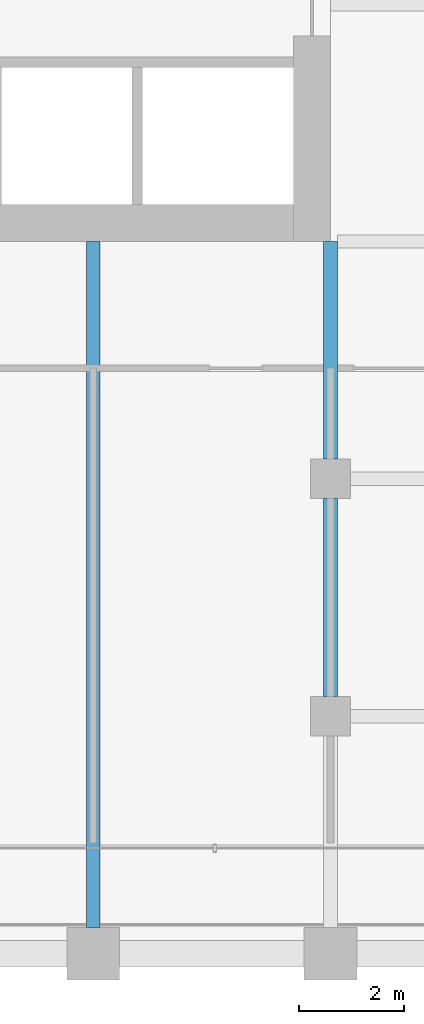
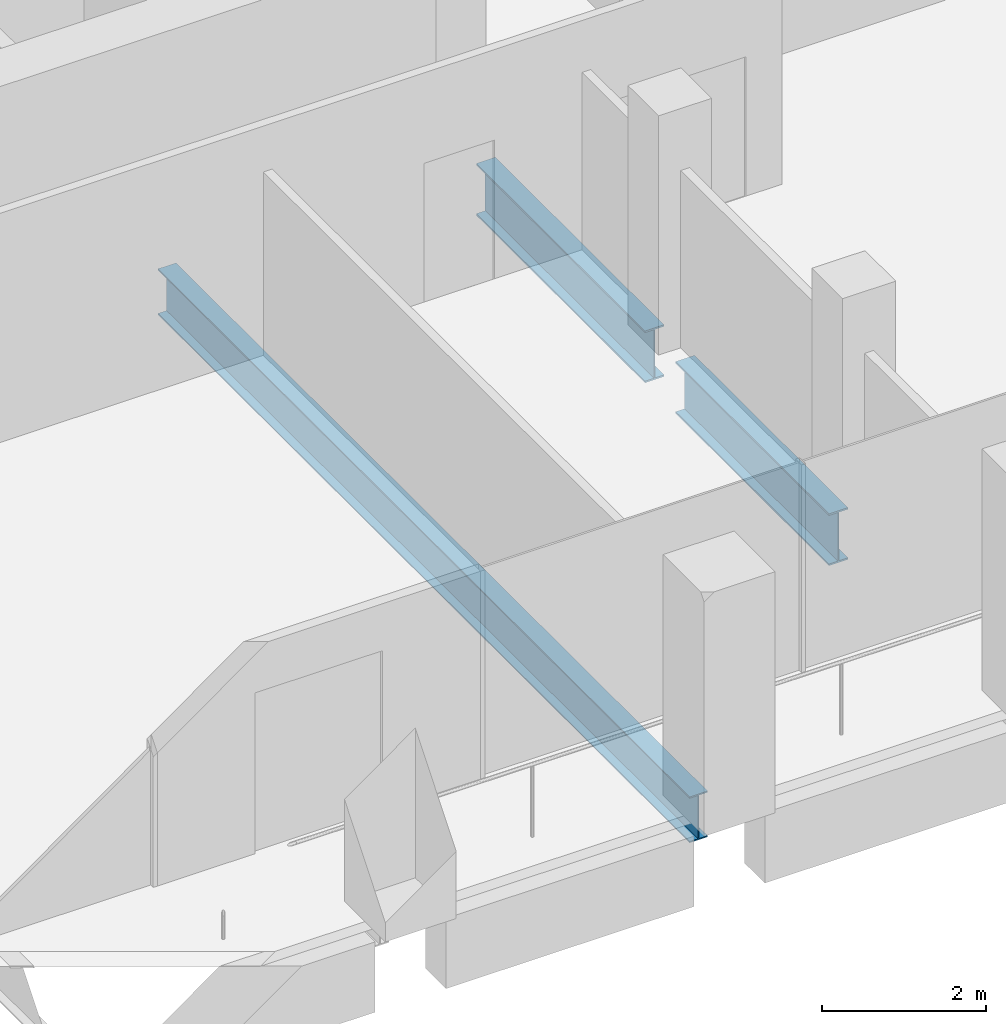
# One storey, part 10 of 47: 3 beams.
"""IFC4 building model written with IfcOpenShell, lengths in metres."""

from ifc_helpers import new_model, si_unit, direction, frame, origin, origin_2d, place, context, subcontext, project, spatial, i_section, extrude, material, material_profile, profile_set, type_object, element, save


model = new_model("IFC4")

# Units and contexts
model_context = context("Model", 3, precision=1e-05, world=origin(), true_north=direction((0.0, 1.0)))
body_context = subcontext(model_context, "Body", "Model", "MODEL_VIEW")
ifc_project = project(units=[si_unit("LENGTHUNIT", "METRE"), si_unit("AREAUNIT", "SQUARE_METRE"), si_unit("VOLUMEUNIT", "CUBIC_METRE"), si_unit("PLANEANGLEUNIT", "RADIAN"), si_unit("MASSUNIT", "GRAM", prefix="KILO")], contexts=[model_context])

# Site, building, storey
site_placement = place(None, origin())
site = spatial("IfcSite", under=ifc_project, at=site_placement, CompositionType="ELEMENT")
building_placement = place(site_placement, origin())
building = spatial("IfcBuilding", under=site, at=building_placement, Name="Altepetl Exchange Towers", CompositionType="ELEMENT")
storey_placement = place(building_placement, frame((0.0, 0.0, 99.199951171875)))
storey = spatial("IfcBuildingStorey", under=building, at=storey_placement, Name="L24", CompositionType="ELEMENT", Elevation=99.199951171875)

# Beams
ifc_material = material(Name="Steel S355", Category="steel")
ifc_material_profile_1 = material_profile(ifc_material, i_section(OverallWidth=0.25390625, OverallDepth=0.68408203125, WebThickness=0.012451171875, FlangeThickness=0.018798828125, at=origin_2d()), Name="W27X94")
ifc_profile_set_1 = profile_set([ifc_material_profile_1], Name="Steel S355")
beam_type_1 = type_object("IfcBeamType", Name="Floor beam W27X94", PredefinedType="BEAM", material=ifc_profile_set_1)
beam_1_placement = place(storey_placement, frame((54.0, 27.5, -0.491943359375), z_axis=(0.0, 1.0, 0.0), x_axis=(-1.0, 0.0, 0.0)))
element("IfcBeam", 1, at=beam_1_placement, inside=storey, type_object=beam_type_1, Name="bm:A:L24:017", PredefinedType="BEAM", context=body_context, shape_type="SweptSolid", body=[
    extrude(i_section(OverallWidth=0.25390625, OverallDepth=0.68408203125, WebThickness=0.012451171875, FlangeThickness=0.018798828125, at=origin_2d()), origin(), (0.0, 0.0, 1.0), 13.0),
])
ifc_material_profile_2 = material_profile(ifc_material, i_section(OverallWidth=0.26806640625, OverallDepth=0.77392578125, WebThickness=0.015380859375, FlangeThickness=0.025390625, at=origin_2d()), Name="W30X132")
ifc_profile_set_2 = profile_set([ifc_material_profile_2], Name="Steel S355")
beam_type_2 = type_object("IfcBeamType", Name="Girder W30X132", PredefinedType="BEAM", material=ifc_profile_set_2)
beam_2_placement = place(storey_placement, frame((58.5, 40.5, -0.536865234375), z_axis=(0.0, -1.0, 0.0), x_axis=(1.0, 0.0, 0.0)))
element("IfcBeam", 2, at=beam_2_placement, inside=storey, type_object=beam_type_2, Name="gd:A:L24:003", PredefinedType="BEAM", context=body_context, shape_type="SweptSolid", body=[
    extrude(i_section(OverallWidth=0.26806640625, OverallDepth=0.77392578125, WebThickness=0.015380859375, FlangeThickness=0.025390625, at=origin_2d()), origin(), (0.0, 0.0, 1.0), 4.125),
])
beam_3_placement = place(storey_placement, frame((58.5, 35.625, -0.536865234375), z_axis=(0.0, -1.0, 0.0), x_axis=(1.0, 0.0, 0.0)))
element("IfcBeam", 3, at=beam_3_placement, inside=storey, type_object=beam_type_2, Name="gd:A:L24:004", PredefinedType="BEAM", context=body_context, shape_type="SweptSolid", body=[
    extrude(i_section(OverallWidth=0.26806640625, OverallDepth=0.77392578125, WebThickness=0.015380859375, FlangeThickness=0.025390625, at=origin_2d()), origin(), (0.0, 0.0, 1.0), 3.75),
])

save(model, "model.ifc")
